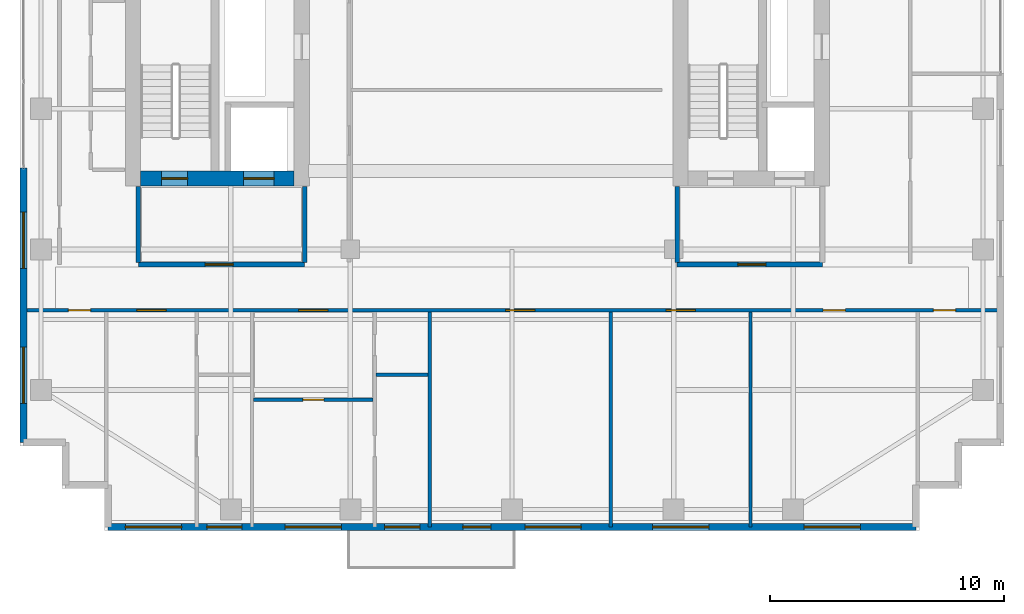
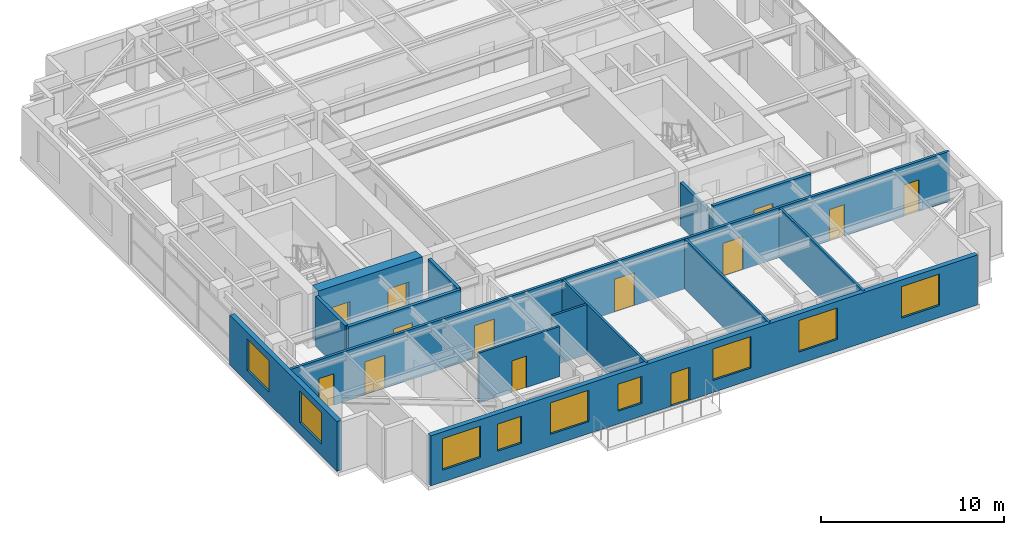
# One storey, part 9 of 15: 14 walls, 13 doors, 9 windows, 22 openings.
"""IFC4 building model written with IfcOpenShell, lengths in metres."""

from ifc_helpers import new_model, si_unit, direction, frame, frame_2d, origin, place, context, subcontext, project, spatial, rectangle, extrude, source, transform, mapped, material, layer, layer_set, type_object, element, fill, save


model = new_model("IFC4")

# Units and contexts
model_context = context("Model", 3, precision=1e-05, world=origin(), true_north=direction((0.0, 1.0)))
body_context = subcontext(model_context, "Body", "Model", "MODEL_VIEW")
ifc_project = project(units=[si_unit("LENGTHUNIT", "METRE"), si_unit("AREAUNIT", "SQUARE_METRE"), si_unit("VOLUMEUNIT", "CUBIC_METRE"), si_unit("PLANEANGLEUNIT", "RADIAN"), si_unit("MASSUNIT", "GRAM", prefix="KILO")], contexts=[model_context])

# Site, building, storey
site_placement = place(None, origin())
site = spatial("IfcSite", under=ifc_project, at=site_placement, CompositionType="ELEMENT")
building_placement = place(site_placement, origin())
building = spatial("IfcBuilding", under=site, at=building_placement, Name="Khoralis Quay Care Tower", CompositionType="ELEMENT")
storey_placement = place(building_placement, frame((0.0, 0.0, 162.89990234375)))
storey = spatial("IfcBuildingStorey", under=building, at=storey_placement, Name="L42", CompositionType="ELEMENT", Elevation=162.89990234375)

# Wall, opening, door
ifc_material_1 = material(Name="Gypsum plasterboard on acoustic metal stud")
ifc_layer_1 = layer(ifc_material_1, 0.199951171875)
ifc_layer_set_1 = layer_set([ifc_layer_1], Name="Gypsum plasterboard on acoustic metal stud")
wall_type_1 = type_object("IfcWallType", Name="WL-COMP-200", PredefinedType="PARTITIONING", material=ifc_layer_set_1)
wall_1_placement = place(storey_placement, frame((8.050048828125, 11.35009765625, 0.0), z_axis=(0.0, 0.0, 1.0), x_axis=(1.0, 0.0, 0.0)))
wall_1 = element("IfcWall", 1, at=wall_1_placement, inside=storey, type_object=wall_type_1, Name="L42 West Firefighting Lobby South Wall", PredefinedType="PARTITIONING", context=body_context, shape_type="SweptSolid", body=[
    extrude(rectangle(XDim=7.099853515625, YDim=0.199951171875, at=frame_2d((3.5498046875, 0.0))), origin(), (0.0, 0.0, 1.0), 3.340087890625),
])
opening_1_placement = place(wall_1_placement, frame((2.846435546875, 0.0, 0.0)))
opening_1 = element("IfcOpeningElement", 2, at=opening_1_placement, cuts=wall_1, Name="Opening FD1", PredefinedType="OPENING", context=body_context, shape_type="SweptSolid", body=[
    extrude(rectangle(XDim=1.199951171875, YDim=2.199951171875, at=frame_2d((0.60009765625, 1.10009765625))), frame((0.0, 0.10986328125, 0.0), z_axis=(0.0, -1.0, 0.0), x_axis=(1.0, 0.0, 0.0)), (0.0, 0.0, 1.0), 0.219970703125),
])
ifc_material_2 = material(Name="Fire-rated painted steel", Category="steel")
door_type_1 = type_object("IfcDoorType", Name="DR-FFL-1200X2200", OperationType="NOTDEFINED", PredefinedType="DOOR", material=ifc_material_2)
shared_shape_1 = source(origin(), body_context, "Body", "SweptSolid", [
    extrude(rectangle(XDim=1.199951171875, YDim=2.199951171875, at=frame_2d((0.60009765625, 1.10009765625))), frame((0.0, 0.02490234375, 0.0), z_axis=(0.0, -1.0, 0.0), x_axis=(1.0, 0.0, 0.0)), (0.0, 0.0, 1.0), 0.050048828125),
])
door_1_placement = place(opening_1_placement, origin())
door_1 = element("IfcDoor", 3, at=door_1_placement, inside=storey, type_object=door_type_1, Name="L42 West Firefighting Lobby Fire Door", OperationType="SINGLE_SWING_RIGHT", OverallHeight=2.199951171875, OverallWidth=1.199951171875, PredefinedType="DOOR", context=body_context, shape_type="MappedRepresentation", body=[
    mapped(shared_shape_1, transform((0.0, 0.0, 0.0), scale=1.0)),
])
fill(opening_1, door_1)

# Walls
for number, where, z_axis, x_axis, name in (
    (4, (8.050048828125, 11.445068359375, 0.0), (0.0, 0.0, 1.0), (0.0, 1.0, 0.0), "L42 West Firefighting Lobby West Wall"),
    (5, (15.14990234375, 11.445068359375, 0.0), (0.0, 0.0, 1.0), (0.0, 1.0, 0.0), "L42 West Firefighting Lobby East Wall"),
):
    element("IfcWall", number, at=place(storey_placement, frame(where, z_axis=z_axis, x_axis=x_axis)), inside=storey, type_object=wall_type_1, Name=name, PredefinedType="PARTITIONING", context=body_context, shape_type="SweptSolid", body=[
        extrude(rectangle(XDim=3.23486328125, YDim=0.199951171875, at=frame_2d((1.617431640625, 0.0))), origin(), (0.0, 0.0, 1.0), 3.340087890625),
    ])

# Wall, opening, door
wall_2_placement = place(storey_placement, frame((31.050048828125, 11.35009765625, 0.0), z_axis=(0.0, 0.0, 1.0), x_axis=(1.0, 0.0, 0.0)))
wall_2 = element("IfcWall", 6, at=wall_2_placement, inside=storey, type_object=wall_type_1, Name="L42 East Firefighting Lobby South Wall", PredefinedType="PARTITIONING", context=body_context, shape_type="SweptSolid", body=[
    extrude(rectangle(XDim=6.199951171875, YDim=0.199951171875, at=frame_2d((3.10009765625, 0.0))), origin(), (0.0, 0.0, 1.0), 3.340087890625),
])
opening_2_placement = place(wall_2_placement, frame((2.585693359375, 0.0, 0.0)))
opening_2 = element("IfcOpeningElement", 7, at=opening_2_placement, cuts=wall_2, Name="Opening FD1", PredefinedType="OPENING", context=body_context, shape_type="SweptSolid", body=[
    extrude(rectangle(XDim=1.199951171875, YDim=2.199951171875, at=frame_2d((0.60009765625, 1.10009765625))), frame((0.0, 0.10986328125, 0.0), z_axis=(0.0, -1.0, 0.0), x_axis=(1.0, 0.0, 0.0)), (0.0, 0.0, 1.0), 0.219970703125),
])
door_2_placement = place(opening_2_placement, origin())
door_2 = element("IfcDoor", 8, at=door_2_placement, inside=storey, type_object=door_type_1, Name="L42 East Firefighting Lobby Fire Door", OperationType="SINGLE_SWING_LEFT", OverallHeight=2.199951171875, OverallWidth=1.199951171875, PredefinedType="DOOR", context=body_context, shape_type="MappedRepresentation", body=[
    mapped(shared_shape_1, transform((0.0, 0.0, 0.0), scale=1.0)),
])
fill(opening_2, door_2)

# Wall
wall_3_placement = place(storey_placement, frame((31.050048828125, 11.445068359375, 0.0), z_axis=(0.0, 0.0, 1.0), x_axis=(0.0, 1.0, 0.0)))
element("IfcWall", 9, at=wall_3_placement, inside=storey, type_object=wall_type_1, Name="L42 East Firefighting Lobby West Wall", PredefinedType="PARTITIONING", context=body_context, shape_type="SweptSolid", body=[
    extrude(rectangle(XDim=3.23486328125, YDim=0.199951171875, at=frame_2d((1.617431640625, 0.0))), origin(), (0.0, 0.0, 1.0), 2.877197265625),
])

# Wall, openings, doors
ifc_material_3 = material(Name="Concrete C65/80", Category="concrete")
ifc_layer_2 = layer(ifc_material_3, 0.64990234375)
ifc_layer_set_2 = layer_set([ifc_layer_2], Name="Concrete C65/80")
wall_type_2 = type_object("IfcWallType", Name="WL-CORE-650", PredefinedType="SHEAR", material=ifc_layer_set_2)
wall_4_placement = place(storey_placement, frame((8.14990234375, 15.02490234375, 0.0), z_axis=(0.0, 0.0, 1.0), x_axis=(1.0, 0.0, 0.0)))
wall_4 = element("IfcWall", 10, at=wall_4_placement, inside=storey, type_object=wall_type_2, Name="L42 WCORE South Shear Wall", PredefinedType="SHEAR", context=body_context, shape_type="SweptSolid", body=[
    extrude(rectangle(XDim=6.550048828125, YDim=0.64990234375, at=frame_2d((3.27490234375, 0.0))), origin(), (0.0, 0.0, 1.0), 3.60009765625),
])
opening_3_placement = place(wall_4_placement, frame((0.89990234375, 0.0, 0.0)))
opening_3 = element("IfcOpeningElement", 11, at=opening_3_placement, cuts=wall_4, Name="Opening SD1", PredefinedType="OPENING", context=body_context, shape_type="SweptSolid", body=[
    extrude(rectangle(XDim=1.10009765625, YDim=2.199951171875, at=frame_2d((0.550048828125, 1.10009765625))), frame((0.0, 0.3349609375, 0.0), z_axis=(0.0, -1.0, 0.0), x_axis=(1.0, 0.0, 0.0)), (0.0, 0.0, 1.0), 0.669921875),
])
opening_4_placement = place(wall_4_placement, frame((4.39990234375, 0.0, 0.0)))
opening_4 = element("IfcOpeningElement", 12, at=opening_4_placement, cuts=wall_4, Name="Opening LD2", PredefinedType="OPENING", context=body_context, shape_type="SweptSolid", body=[
    extrude(rectangle(XDim=1.300048828125, YDim=2.199951171875, at=frame_2d((0.64990234375, 1.10009765625))), frame((0.0, 0.3349609375, 0.0), z_axis=(0.0, -1.0, 0.0), x_axis=(1.0, 0.0, 0.0)), (0.0, 0.0, 1.0), 0.669921875),
])
door_type_2 = type_object("IfcDoorType", Name="DR-STAIR-1100X2200", OperationType="NOTDEFINED", PredefinedType="DOOR", material=ifc_material_2)
shared_shape_2 = source(origin(), body_context, "Body", "SweptSolid", [
    extrude(rectangle(XDim=1.10009765625, YDim=2.199951171875, at=frame_2d((0.550048828125, 1.10009765625))), frame((0.0, 0.02490234375, 0.0), z_axis=(0.0, -1.0, 0.0), x_axis=(1.0, 0.0, 0.0)), (0.0, 0.0, 1.0), 0.050048828125),
])
door_3_placement = place(opening_3_placement, origin())
door_3 = element("IfcDoor", 13, at=door_3_placement, inside=storey, type_object=door_type_2, Name="L42 Stair ST-T1 Fire Door", OperationType="SINGLE_SWING_RIGHT", OverallHeight=2.199951171875, OverallWidth=1.10009765625, PredefinedType="DOOR", context=body_context, shape_type="MappedRepresentation", body=[
    mapped(shared_shape_2, transform((0.0, 0.0, 0.0), scale=1.0)),
])
fill(opening_3, door_3)
ifc_material_4 = material(Name="Brushed stainless steel", Category="steel")
door_type_3 = type_object("IfcDoorType", Name="DR-LIFT-1300X2200", OperationType="SLIDING_TO_RIGHT", PredefinedType="DOOR", material=ifc_material_4)
shared_shape_3 = source(origin(), body_context, "Body", "SweptSolid", [
    extrude(rectangle(XDim=1.300048828125, YDim=2.199951171875, at=frame_2d((0.64990234375, 1.10009765625))), frame((0.0, 0.02490234375, 0.0), z_axis=(0.0, -1.0, 0.0), x_axis=(1.0, 0.0, 0.0)), (0.0, 0.0, 1.0), 0.050048828125),
])
door_4_placement = place(opening_4_placement, origin())
door_4 = element("IfcDoor", 14, at=door_4_placement, inside=storey, type_object=door_type_3, Name="L42 Firefighting Lift FFL-1 Landing Door", OperationType="SLIDING_TO_RIGHT", OverallHeight=2.199951171875, OverallWidth=1.300048828125, PredefinedType="DOOR", context=body_context, shape_type="MappedRepresentation", body=[
    mapped(shared_shape_3, transform((0.0, 0.0, 0.0), scale=1.0)),
])
fill(opening_4, door_4)

ifc_layer_3 = layer(ifc_material_1, 0.1650390625)
ifc_layer_set_3 = layer_set([ifc_layer_3], Name="Gypsum plasterboard on acoustic metal stud")
wall_type_3 = type_object("IfcWallType", Name="WL-CORR-165", PredefinedType="PARTITIONING", material=ifc_layer_set_3)
wall_5_placement = place(storey_placement, frame((3.14501953125, 9.39990234375, 0.0), z_axis=(0.0, 0.0, 1.0), x_axis=(1.0, 0.0, 0.0)))
wall_5 = element("IfcWall", 15, at=wall_5_placement, inside=storey, type_object=wall_type_3, Name="L42 South Main Corridor Wall", PredefinedType="PARTITIONING", context=body_context, shape_type="SweptSolid", body=[
    extrude(rectangle(XDim=41.7099609375, YDim=0.1650390625, at=frame_2d((20.85498046875, 0.0))), origin(), (0.0, 0.0, 1.0), 3.340087890625),
])
opening_5_placement = place(wall_5_placement, frame((4.844970703125, 0.0, 0.0)))
opening_5 = element("IfcOpeningElement", 16, at=opening_5_placement, cuts=wall_5, Name="Opening CD1", PredefinedType="OPENING", context=body_context, shape_type="SweptSolid", body=[
    extrude(rectangle(XDim=1.25, YDim=2.199951171875, at=frame_2d((0.625, 1.10009765625))), frame((0.0, 0.092529296875, 0.0), z_axis=(0.0, -1.0, 0.0), x_axis=(1.0, 0.0, 0.0)), (0.0, 0.0, 1.0), 0.18505859375),
])
opening_6_placement = place(wall_5_placement, frame((11.75, 0.0, 0.0)))
opening_6 = element("IfcOpeningElement", 17, at=opening_6_placement, cuts=wall_5, Name="Opening CD1", PredefinedType="OPENING", context=body_context, shape_type="SweptSolid", body=[
    extrude(rectangle(XDim=1.25, YDim=2.199951171875, at=frame_2d((0.625, 1.10009765625))), frame((0.0, 0.092529296875, 0.0), z_axis=(0.0, -1.0, 0.0), x_axis=(1.0, 0.0, 0.0)), (0.0, 0.0, 1.0), 0.18505859375),
])
opening_7_placement = place(wall_5_placement, frame((20.5849609375, 0.0, 0.0)))
opening_7 = element("IfcOpeningElement", 18, at=opening_7_placement, cuts=wall_5, Name="Opening CD1", PredefinedType="OPENING", context=body_context, shape_type="SweptSolid", body=[
    extrude(rectangle(XDim=1.25, YDim=2.199951171875, at=frame_2d((0.625, 1.10009765625))), frame((0.0, 0.092529296875, 0.0), z_axis=(0.0, -1.0, 0.0), x_axis=(1.0, 0.0, 0.0)), (0.0, 0.0, 1.0), 0.18505859375),
])
opening_8_placement = place(wall_5_placement, frame((27.429931640625, 0.0, 0.0)))
opening_8 = element("IfcOpeningElement", 19, at=opening_8_placement, cuts=wall_5, Name="Opening CD1", PredefinedType="OPENING", context=body_context, shape_type="SweptSolid", body=[
    extrude(rectangle(XDim=1.25, YDim=2.199951171875, at=frame_2d((0.625, 1.10009765625))), frame((0.0, 0.092529296875, 0.0), z_axis=(0.0, -1.0, 0.0), x_axis=(1.0, 0.0, 0.0)), (0.0, 0.0, 1.0), 0.18505859375),
])
opening_9_placement = place(wall_5_placement, frame((34.1298828125, 0.0, 0.0)))
opening_9 = element("IfcOpeningElement", 20, at=opening_9_placement, cuts=wall_5, Name="Opening ID1", PredefinedType="OPENING", context=body_context, shape_type="SweptSolid", body=[
    extrude(rectangle(XDim=0.949951171875, YDim=2.10009765625, at=frame_2d((0.47509765625, 1.050048828125))), frame((0.0, 0.092529296875, 0.0), z_axis=(0.0, -1.0, 0.0), x_axis=(1.0, 0.0, 0.0)), (0.0, 0.0, 1.0), 0.18505859375),
])
opening_10_placement = place(wall_5_placement, frame((1.919921875, 0.0, 0.0)))
opening_10 = element("IfcOpeningElement", 21, at=opening_10_placement, cuts=wall_5, Name="Opening ID1", PredefinedType="OPENING", context=body_context, shape_type="SweptSolid", body=[
    extrude(rectangle(XDim=0.949951171875, YDim=2.10009765625, at=frame_2d((0.47509765625, 1.050048828125))), frame((0.0, 0.092529296875, 0.0), z_axis=(0.0, -1.0, 0.0), x_axis=(1.0, 0.0, 0.0)), (0.0, 0.0, 1.0), 0.18505859375),
])
opening_11_placement = place(wall_5_placement, frame((38.840087890625, 0.0, 0.0)))
opening_11 = element("IfcOpeningElement", 22, at=opening_11_placement, cuts=wall_5, Name="Opening ID1", PredefinedType="OPENING", context=body_context, shape_type="SweptSolid", body=[
    extrude(rectangle(XDim=0.949951171875, YDim=2.10009765625, at=frame_2d((0.47509765625, 1.050048828125))), frame((0.0, 0.092529296875, 0.0), z_axis=(0.0, -1.0, 0.0), x_axis=(1.0, 0.0, 0.0)), (0.0, 0.0, 1.0), 0.18505859375),
])
ifc_material_5 = material(Name="Acoustic hardwood timber", Category="wood")
door_type_4 = type_object("IfcDoorType", Name="DR-CARE-1250X2200", OperationType="NOTDEFINED", PredefinedType="DOOR", material=ifc_material_5)
shared_shape_4 = source(origin(), body_context, "Body", "SweptSolid", [
    extrude(rectangle(XDim=1.25, YDim=2.199951171875, at=frame_2d((0.625, 1.10009765625))), frame((0.0, 0.02490234375, 0.0), z_axis=(0.0, -1.0, 0.0), x_axis=(1.0, 0.0, 0.0)), (0.0, 0.0, 1.0), 0.050048828125),
])
door_5_placement = place(opening_5_placement, frame((1.25, 0.0, 0.0), z_axis=(0.0, 0.0, 1.0), x_axis=(-1.0, 0.0, 0.0)))
door_5 = element("IfcDoor", 23, at=door_5_placement, inside=storey, type_object=door_type_4, Name="L42 Care Suite SB0 Clinical Door", OperationType="SINGLE_SWING_RIGHT", OverallHeight=2.199951171875, OverallWidth=1.25, PredefinedType="DOOR", context=body_context, shape_type="MappedRepresentation", body=[
    mapped(shared_shape_4, transform((0.0, 0.0, 0.0), scale=1.0)),
])
fill(opening_5, door_5)
door_6_placement = place(opening_6_placement, frame((1.25, 0.0, 0.0), z_axis=(0.0, 0.0, 1.0), x_axis=(-1.0, 0.0, 0.0)))
door_6 = element("IfcDoor", 24, at=door_6_placement, inside=storey, type_object=door_type_4, Name="L42 Care Suite SB1 Clinical Door", OperationType="SINGLE_SWING_LEFT", OverallHeight=2.199951171875, OverallWidth=1.25, PredefinedType="DOOR", context=body_context, shape_type="MappedRepresentation", body=[
    mapped(shared_shape_4, transform((0.0, 0.0, 0.0), scale=1.0)),
])
fill(opening_6, door_6)
door_7_placement = place(opening_7_placement, frame((1.25, 0.0, 0.0), z_axis=(0.0, 0.0, 1.0), x_axis=(-1.0, 0.0, 0.0)))
door_7 = element("IfcDoor", 25, at=door_7_placement, inside=storey, type_object=door_type_4, Name="L42 Geriatric Consultation Clinic Door", OperationType="SINGLE_SWING_RIGHT", OverallHeight=2.199951171875, OverallWidth=1.25, PredefinedType="DOOR", context=body_context, shape_type="MappedRepresentation", body=[
    mapped(shared_shape_4, transform((0.0, 0.0, 0.0), scale=1.0)),
])
fill(opening_7, door_7)
door_8_placement = place(opening_8_placement, frame((1.25, 0.0, 0.0), z_axis=(0.0, 0.0, 1.0), x_axis=(-1.0, 0.0, 0.0)))
door_8 = element("IfcDoor", 26, at=door_8_placement, inside=storey, type_object=door_type_4, Name="L42 Physiotherapy Treatment Clinic Door", OperationType="SINGLE_SWING_LEFT", OverallHeight=2.199951171875, OverallWidth=1.25, PredefinedType="DOOR", context=body_context, shape_type="MappedRepresentation", body=[
    mapped(shared_shape_4, transform((0.0, 0.0, 0.0), scale=1.0)),
])
fill(opening_8, door_8)
door_type_5 = type_object("IfcDoorType", Name="DR-ROOM-950X2100", OperationType="NOTDEFINED", PredefinedType="DOOR", material=ifc_material_5)
shared_shape_5 = source(origin(), body_context, "Body", "SweptSolid", [
    extrude(rectangle(XDim=0.949951171875, YDim=2.10009765625, at=frame_2d((0.47509765625, 1.050048828125))), frame((0.0, 0.02490234375, 0.0), z_axis=(0.0, -1.0, 0.0), x_axis=(1.0, 0.0, 0.0)), (0.0, 0.0, 1.0), 0.050048828125),
])
door_9_placement = place(opening_9_placement, frame((0.949951171875, 0.0, 0.0), z_axis=(0.0, 0.0, 1.0), x_axis=(-1.0, 0.0, 0.0)))
door_9 = element("IfcDoor", 27, at=door_9_placement, inside=storey, type_object=door_type_5, Name="L42 Care Coordination Office Door", OperationType="SINGLE_SWING_LEFT", OverallHeight=2.10009765625, OverallWidth=0.949951171875, PredefinedType="DOOR", context=body_context, shape_type="MappedRepresentation", body=[
    mapped(shared_shape_5, transform((0.0, 0.0, 0.0), scale=1.0)),
])
fill(opening_9, door_9)
door_10_placement = place(opening_10_placement, frame((0.949951171875, 0.0, 0.0), z_axis=(0.0, 0.0, 1.0), x_axis=(-1.0, 0.0, 0.0)))
door_10 = element("IfcDoor", 28, at=door_10_placement, inside=storey, type_object=door_type_5, Name="L42 SW Corner Door", OperationType="SINGLE_SWING_LEFT", OverallHeight=2.10009765625, OverallWidth=0.949951171875, PredefinedType="DOOR", context=body_context, shape_type="MappedRepresentation", body=[
    mapped(shared_shape_5, transform((0.0, 0.0, 0.0), scale=1.0)),
])
fill(opening_10, door_10)
door_11_placement = place(opening_11_placement, frame((0.949951171875, 0.0, 0.0), z_axis=(0.0, 0.0, 1.0), x_axis=(-1.0, 0.0, 0.0)))
door_11 = element("IfcDoor", 29, at=door_11_placement, inside=storey, type_object=door_type_5, Name="L42 SE Corner Door", OperationType="SINGLE_SWING_RIGHT", OverallHeight=2.10009765625, OverallWidth=0.949951171875, PredefinedType="DOOR", context=body_context, shape_type="MappedRepresentation", body=[
    mapped(shared_shape_5, transform((0.0, 0.0, 0.0), scale=1.0)),
])
fill(opening_11, door_11)

# Wall, openings, windows, door
ifc_material_6 = material(Name="Precast concrete C45/55", Category="concrete")
ifc_layer_4 = layer(ifc_material_6, 0.300048828125)
ifc_layer_set_4 = layer_set([ifc_layer_4], Name="Precast concrete C45/55")
wall_type_4 = type_object("IfcWallType", Name="WL-EXT-REF-300", PredefinedType="SOLIDWALL", material=ifc_layer_set_4)
wall_6_placement = place(storey_placement, frame((6.75, 0.14990234375, 0.0), z_axis=(0.0, 0.0, 1.0), x_axis=(1.0, 0.0, 0.0)))
wall_6 = element("IfcWall", 30, at=wall_6_placement, inside=storey, type_object=wall_type_4, Name="L42 External Facade Wall WL-EXT-L42-P1-E0", PredefinedType="SOLIDWALL", context=body_context, shape_type="SweptSolid", body=[
    extrude(rectangle(XDim=34.5, YDim=0.300048828125, at=frame_2d((17.25, 0.0))), origin(), (0.0, 0.0, 1.0), 3.340087890625),
])
opening_12_placement = place(wall_6_placement, frame((0.75, 0.0, 0.800048828125)))
opening_12 = element("IfcOpeningElement", 31, at=opening_12_placement, cuts=wall_6, Name="Opening W1", PredefinedType="OPENING", context=body_context, shape_type="SweptSolid", body=[
    extrude(rectangle(XDim=2.39990234375, YDim=2.10009765625, at=frame_2d((1.199951171875, 1.050048828125))), frame((0.0, 0.16015625, 0.0), z_axis=(0.0, -1.0, 0.0), x_axis=(1.0, 0.0, 0.0)), (0.0, 0.0, 1.0), 0.320068359375),
])
opening_13_placement = place(wall_6_placement, frame((4.22509765625, 0.0, 0.85009765625)))
opening_13 = element("IfcOpeningElement", 32, at=opening_13_placement, cuts=wall_6, Name="Opening W3", PredefinedType="OPENING", context=body_context, shape_type="SweptSolid", body=[
    extrude(rectangle(XDim=1.5, YDim=1.800048828125, at=frame_2d((0.75, 0.89990234375))), frame((0.0, 0.16015625, 0.0), z_axis=(0.0, -1.0, 0.0), x_axis=(1.0, 0.0, 0.0)), (0.0, 0.0, 1.0), 0.320068359375),
])
opening_14_placement = place(wall_6_placement, frame((7.570068359375, 0.0, 0.800048828125)))
opening_14 = element("IfcOpeningElement", 33, at=opening_14_placement, cuts=wall_6, Name="Opening W1", PredefinedType="OPENING", context=body_context, shape_type="SweptSolid", body=[
    extrude(rectangle(XDim=2.39990234375, YDim=2.10009765625, at=frame_2d((1.199951171875, 1.050048828125))), frame((0.0, 0.16015625, 0.0), z_axis=(0.0, -1.0, 0.0), x_axis=(1.0, 0.0, 0.0)), (0.0, 0.0, 1.0), 0.320068359375),
])
opening_15_placement = place(wall_6_placement, frame((11.81494140625, 0.0, 0.85009765625)))
opening_15 = element("IfcOpeningElement", 34, at=opening_15_placement, cuts=wall_6, Name="Opening W3", PredefinedType="OPENING", context=body_context, shape_type="SweptSolid", body=[
    extrude(rectangle(XDim=1.5, YDim=1.800048828125, at=frame_2d((0.75, 0.89990234375))), frame((0.0, 0.16015625, 0.0), z_axis=(0.0, -1.0, 0.0), x_axis=(1.0, 0.0, 0.0)), (0.0, 0.0, 1.0), 0.320068359375),
])
opening_16_placement = place(wall_6_placement, frame((17.804931640625, 0.0, 0.800048828125)))
opening_16 = element("IfcOpeningElement", 35, at=opening_16_placement, cuts=wall_6, Name="Opening W1", PredefinedType="OPENING", context=body_context, shape_type="SweptSolid", body=[
    extrude(rectangle(XDim=2.39990234375, YDim=2.10009765625, at=frame_2d((1.199951171875, 1.050048828125))), frame((0.0, 0.16015625, 0.0), z_axis=(0.0, -1.0, 0.0), x_axis=(1.0, 0.0, 0.0)), (0.0, 0.0, 1.0), 0.320068359375),
])
opening_17_placement = place(wall_6_placement, frame((23.25, 0.0, 0.800048828125)))
opening_17 = element("IfcOpeningElement", 36, at=opening_17_placement, cuts=wall_6, Name="Opening W1", PredefinedType="OPENING", context=body_context, shape_type="SweptSolid", body=[
    extrude(rectangle(XDim=2.39990234375, YDim=2.10009765625, at=frame_2d((1.199951171875, 1.050048828125))), frame((0.0, 0.16015625, 0.0), z_axis=(0.0, -1.0, 0.0), x_axis=(1.0, 0.0, 0.0)), (0.0, 0.0, 1.0), 0.320068359375),
])
opening_18_placement = place(wall_6_placement, frame((29.715087890625, 0.0, 0.800048828125)))
opening_18 = element("IfcOpeningElement", 37, at=opening_18_placement, cuts=wall_6, Name="Opening W1", PredefinedType="OPENING", context=body_context, shape_type="SweptSolid", body=[
    extrude(rectangle(XDim=2.39990234375, YDim=2.10009765625, at=frame_2d((1.199951171875, 1.050048828125))), frame((0.0, 0.16015625, 0.0), z_axis=(0.0, -1.0, 0.0), x_axis=(1.0, 0.0, 0.0)), (0.0, 0.0, 1.0), 0.320068359375),
])
opening_19_placement = place(wall_6_placement, frame((15.14990234375, 0.0, 0.0)))
opening_19 = element("IfcOpeningElement", 38, at=opening_19_placement, cuts=wall_6, Name="Opening BD1", PredefinedType="OPENING", context=body_context, shape_type="SweptSolid", body=[
    extrude(rectangle(XDim=1.199951171875, YDim=2.199951171875, at=frame_2d((0.60009765625, 1.10009765625))), frame((0.0, 0.16015625, 0.0), z_axis=(0.0, -1.0, 0.0), x_axis=(1.0, 0.0, 0.0)), (0.0, 0.0, 1.0), 0.320068359375),
])
ifc_material_7 = material(Name="Low-E solar-control double glazing", Category="glass")
window_type_1 = type_object("IfcWindowType", Name="WN-CLIN-1500X1800", PartitioningType="SINGLE_PANEL", PredefinedType="WINDOW", material=ifc_material_7)
shared_shape_6 = source(origin(), body_context, "Body", "SweptSolid", [
    extrude(rectangle(XDim=1.5, YDim=1.800048828125, at=frame_2d((0.75, 0.89990234375))), frame((0.0, 0.030029296875, 0.0), z_axis=(0.0, -1.0, 0.0), x_axis=(1.0, 0.0, 0.0)), (0.0, 0.0, 1.0), 0.06005859375),
])
window_1_placement = place(opening_13_placement, origin())
window_1 = element("IfcWindow", 39, at=window_1_placement, inside=storey, type_object=window_type_1, Name="WN-L42-P1-E0 Facade Window 02", OverallHeight=1.800048828125, OverallWidth=1.5, PartitioningType="SINGLE_PANEL", PredefinedType="WINDOW", context=body_context, shape_type="MappedRepresentation", body=[
    mapped(shared_shape_6, transform((0.0, 0.0, 0.0), scale=1.0)),
])
fill(opening_13, window_1)
window_2_placement = place(opening_15_placement, origin())
window_2 = element("IfcWindow", 40, at=window_2_placement, inside=storey, type_object=window_type_1, Name="WN-L42-P1-E0 Facade Window 04", OverallHeight=1.800048828125, OverallWidth=1.5, PartitioningType="SINGLE_PANEL", PredefinedType="WINDOW", context=body_context, shape_type="MappedRepresentation", body=[
    mapped(shared_shape_6, transform((0.0, 0.0, 0.0), scale=1.0)),
])
fill(opening_15, window_2)
window_type_2 = type_object("IfcWindowType", Name="WN-POD-2400X2100", PartitioningType="SINGLE_PANEL", PredefinedType="WINDOW", material=ifc_material_7)
shared_shape_7 = source(origin(), body_context, "Body", "SweptSolid", [
    extrude(rectangle(XDim=2.39990234375, YDim=2.10009765625, at=frame_2d((1.199951171875, 1.050048828125))), frame((0.0, 0.030029296875, 0.0), z_axis=(0.0, -1.0, 0.0), x_axis=(1.0, 0.0, 0.0)), (0.0, 0.0, 1.0), 0.06005859375),
])
window_3_placement = place(opening_12_placement, origin())
window_3 = element("IfcWindow", 41, at=window_3_placement, inside=storey, type_object=window_type_2, Name="WN-L42-P1-E0 Facade Window 01", OverallHeight=2.10009765625, OverallWidth=2.39990234375, PartitioningType="SINGLE_PANEL", PredefinedType="WINDOW", context=body_context, shape_type="MappedRepresentation", body=[
    mapped(shared_shape_7, transform((0.0, 0.0, 0.0), scale=1.0)),
])
fill(opening_12, window_3)
window_4_placement = place(opening_14_placement, origin())
window_4 = element("IfcWindow", 42, at=window_4_placement, inside=storey, type_object=window_type_2, Name="WN-L42-P1-E0 Facade Window 03", OverallHeight=2.10009765625, OverallWidth=2.39990234375, PartitioningType="SINGLE_PANEL", PredefinedType="WINDOW", context=body_context, shape_type="MappedRepresentation", body=[
    mapped(shared_shape_7, transform((0.0, 0.0, 0.0), scale=1.0)),
])
fill(opening_14, window_4)
window_5_placement = place(opening_16_placement, origin())
window_5 = element("IfcWindow", 43, at=window_5_placement, inside=storey, type_object=window_type_2, Name="WN-L42-P1-E0 Facade Window 05", OverallHeight=2.10009765625, OverallWidth=2.39990234375, PartitioningType="SINGLE_PANEL", PredefinedType="WINDOW", context=body_context, shape_type="MappedRepresentation", body=[
    mapped(shared_shape_7, transform((0.0, 0.0, 0.0), scale=1.0)),
])
fill(opening_16, window_5)
window_6_placement = place(opening_17_placement, origin())
window_6 = element("IfcWindow", 44, at=window_6_placement, inside=storey, type_object=window_type_2, Name="WN-L42-P1-E0 Facade Window 06", OverallHeight=2.10009765625, OverallWidth=2.39990234375, PartitioningType="SINGLE_PANEL", PredefinedType="WINDOW", context=body_context, shape_type="MappedRepresentation", body=[
    mapped(shared_shape_7, transform((0.0, 0.0, 0.0), scale=1.0)),
])
fill(opening_17, window_6)
window_7_placement = place(opening_18_placement, origin())
window_7 = element("IfcWindow", 45, at=window_7_placement, inside=storey, type_object=window_type_2, Name="WN-L42-P1-E0 Facade Window 07", OverallHeight=2.10009765625, OverallWidth=2.39990234375, PartitioningType="SINGLE_PANEL", PredefinedType="WINDOW", context=body_context, shape_type="MappedRepresentation", body=[
    mapped(shared_shape_7, transform((0.0, 0.0, 0.0), scale=1.0)),
])
fill(opening_18, window_7)
ifc_material_8 = material(Name="Anodised aluminium and laminated safety glass", Category="aluminium")
door_type_6 = type_object("IfcDoorType", Name="DR-EXT-BALC-1200X2200", OperationType="NOTDEFINED", PredefinedType="DOOR", material=ifc_material_8)
shared_shape_8 = source(origin(), body_context, "Body", "SweptSolid", [
    extrude(rectangle(XDim=1.199951171875, YDim=2.199951171875, at=frame_2d((0.60009765625, 1.10009765625))), frame((0.0, 0.02490234375, 0.0), z_axis=(0.0, -1.0, 0.0), x_axis=(1.0, 0.0, 0.0)), (0.0, 0.0, 1.0), 0.050048828125),
])
door_12_placement = place(opening_19_placement, frame((1.199951171875, 0.0, 0.0), z_axis=(0.0, 0.0, 1.0), x_axis=(-1.0, 0.0, 0.0)))
door_12 = element("IfcDoor", 46, at=door_12_placement, inside=storey, type_object=door_type_6, Name="L42 Senior Loggia Balcony Door", OperationType="SINGLE_SWING_LEFT", OverallHeight=2.199951171875, OverallWidth=1.199951171875, PredefinedType="DOOR", context=body_context, shape_type="MappedRepresentation", body=[
    mapped(shared_shape_8, transform((0.0, 0.0, 0.0), scale=1.0)),
])
fill(opening_19, door_12)

# Wall, openings, windows
wall_7_placement = place(storey_placement, frame((3.14990234375, 15.47998046875, 0.0), z_axis=(0.0, 0.0, 1.0), x_axis=(0.0, -1.0, 0.0)))
wall_7 = element("IfcWall", 47, at=wall_7_placement, inside=storey, type_object=wall_type_4, Name="L42 External Facade Wall WL-EXT-L42-P1-E15B", PredefinedType="SOLIDWALL", context=body_context, shape_type="SweptSolid", body=[
    extrude(rectangle(XDim=11.72998046875, YDim=0.300048828125, at=frame_2d((5.864990234375, 0.0))), origin(), (0.0, 0.0, 1.0), 3.340087890625),
])
opening_20_placement = place(wall_7_placement, frame((1.889892578125, 0.0, 0.800048828125)))
opening_20 = element("IfcOpeningElement", 48, at=opening_20_placement, cuts=wall_7, Name="Opening W1", PredefinedType="OPENING", context=body_context, shape_type="SweptSolid", body=[
    extrude(rectangle(XDim=2.39990234375, YDim=2.10009765625, at=frame_2d((1.199951171875, 1.050048828125))), frame((0.0, 0.16015625, 0.0), z_axis=(0.0, -1.0, 0.0), x_axis=(1.0, 0.0, 0.0)), (0.0, 0.0, 1.0), 0.320068359375),
])
opening_21_placement = place(wall_7_placement, frame((7.655029296875, 0.0, 0.800048828125)))
opening_21 = element("IfcOpeningElement", 49, at=opening_21_placement, cuts=wall_7, Name="Opening W1", PredefinedType="OPENING", context=body_context, shape_type="SweptSolid", body=[
    extrude(rectangle(XDim=2.39990234375, YDim=2.10009765625, at=frame_2d((1.199951171875, 1.050048828125))), frame((0.0, 0.16015625, 0.0), z_axis=(0.0, -1.0, 0.0), x_axis=(1.0, 0.0, 0.0)), (0.0, 0.0, 1.0), 0.320068359375),
])
window_8_placement = place(opening_20_placement, origin())
window_8 = element("IfcWindow", 50, at=window_8_placement, inside=storey, type_object=window_type_2, Name="WN-L42-P1-E15B Facade Window 01", OverallHeight=2.10009765625, OverallWidth=2.39990234375, PartitioningType="SINGLE_PANEL", PredefinedType="WINDOW", context=body_context, shape_type="MappedRepresentation", body=[
    mapped(shared_shape_7, transform((0.0, 0.0, 0.0), scale=1.0)),
])
fill(opening_20, window_8)
window_9_placement = place(opening_21_placement, origin())
window_9 = element("IfcWindow", 51, at=window_9_placement, inside=storey, type_object=window_type_2, Name="WN-L42-P1-E15B Facade Window 02", OverallHeight=2.10009765625, OverallWidth=2.39990234375, PartitioningType="SINGLE_PANEL", PredefinedType="WINDOW", context=body_context, shape_type="MappedRepresentation", body=[
    mapped(shared_shape_7, transform((0.0, 0.0, 0.0), scale=1.0)),
])
fill(opening_21, window_9)

# Walls
ifc_material_9 = material(Name="Moisture-resistant gypsum and ceramic tile")
ifc_layer_5 = layer(ifc_material_9, 0.280029296875)
ifc_layer_set_5 = layer_set([ifc_layer_5], Name="Moisture-resistant gypsum and ceramic tile")
wall_type_5 = type_object("IfcWallType", Name="WL-PLUMB-280", PredefinedType="PLUMBINGWALL", material=ifc_layer_set_5)
wall_8_placement = place(storey_placement, frame((18.205078125, 6.64990234375, 0.0), z_axis=(0.0, 0.0, 1.0), x_axis=(1.0, 0.0, 0.0)))
element("IfcWall", 52, at=wall_8_placement, inside=storey, type_object=wall_type_5, Name="L42 Care Suite 1 En-Suite Wall H", PredefinedType="PLUMBINGWALL", context=body_context, shape_type="SweptSolid", body=[
    extrude(rectangle(XDim=2.219970703125, YDim=0.139892578125, at=frame_2d((1.10986328125, 0.0))), origin(), (0.0, 0.0, 1.0), 3.340087890625),
])
ifc_layer_6 = layer(ifc_material_1, 0.139892578125)
ifc_layer_set_6 = layer_set([ifc_layer_6], Name="Gypsum plasterboard on acoustic metal stud")
wall_type_6 = type_object("IfcWallType", Name="WL-UNIT-140", PredefinedType="PARTITIONING", material=ifc_layer_set_6)
for number, where, z_axis, x_axis, name in (
    (53, (20.489990234375, 0.14501953125, 0.0), (0.0, 0.0, 1.0), (0.0, 1.0, 0.0), "L42 SB Demising Wall 2"),
    (54, (28.219970703125, 0.14501953125, 0.0), (0.0, 0.0, 1.0), (0.0, 1.0, 0.0), "L42 SB Demising Wall 3"),
    (55, (34.179931640625, 0.14501953125, 0.0), (0.0, 0.0, 1.0), (0.0, 1.0, 0.0), "L42 SB Demising Wall 4"),
):
    element("IfcWall", number, at=place(storey_placement, frame(where, z_axis=z_axis, x_axis=x_axis)), inside=storey, type_object=wall_type_6, Name=name, PredefinedType="PARTITIONING", context=body_context, shape_type="SweptSolid", body=[
        extrude(rectangle(XDim=9.177490234375, YDim=0.139892578125, at=frame_2d((4.5888671875, 0.0))), origin(), (0.0, 0.0, 1.0), 3.340087890625),
    ])

# Wall, opening, door
wall_9_placement = place(storey_placement, frame((12.965087890625, 5.580078125, 0.0), z_axis=(0.0, 0.0, 1.0), x_axis=(1.0, 0.0, 0.0)))
wall_9 = element("IfcWall", 56, at=wall_9_placement, inside=storey, type_object=wall_type_6, Name="Skilled Care Bedroom L42-SB1 Sub-Partition", PredefinedType="PARTITIONING", context=body_context, shape_type="SweptSolid", body=[
    extrude(rectangle(XDim=5.10986328125, YDim=0.139892578125, at=frame_2d((2.554931640625, 0.0))), origin(), (0.0, 0.0, 1.0), 3.340087890625),
])
opening_22_placement = place(wall_9_placement, frame((2.10498046875, 0.0, 0.0)))
opening_22 = element("IfcOpeningElement", 57, at=opening_22_placement, cuts=wall_9, Name="Opening WD1", PredefinedType="OPENING", context=body_context, shape_type="SweptSolid", body=[
    extrude(rectangle(XDim=0.89990234375, YDim=2.10009765625, at=frame_2d((0.449951171875, 1.050048828125))), frame((0.0, 0.080078125, 0.0), z_axis=(0.0, -1.0, 0.0), x_axis=(1.0, 0.0, 0.0)), (0.0, 0.0, 1.0), 0.159912109375),
])
door_type_7 = type_object("IfcDoorType", Name="DR-BATH-900X2100", OperationType="NOTDEFINED", PredefinedType="DOOR", material=ifc_material_5)
shared_shape_9 = source(origin(), body_context, "Body", "SweptSolid", [
    extrude(rectangle(XDim=0.89990234375, YDim=2.10009765625, at=frame_2d((0.449951171875, 1.050048828125))), frame((0.0, 0.02490234375, 0.0), z_axis=(0.0, -1.0, 0.0), x_axis=(1.0, 0.0, 0.0)), (0.0, 0.0, 1.0), 0.050048828125),
])
door_13_placement = place(opening_22_placement, origin())
door_13 = element("IfcDoor", 58, at=door_13_placement, inside=storey, type_object=door_type_7, Name="Private Study & Reading Alcove ARE1 Door", OperationType="SINGLE_SWING_LEFT", OverallHeight=2.10009765625, OverallWidth=0.89990234375, PredefinedType="DOOR", context=body_context, shape_type="MappedRepresentation", body=[
    mapped(shared_shape_9, transform((0.0, 0.0, 0.0), scale=1.0)),
])
fill(opening_22, door_13)

save(model, "model.ifc")
